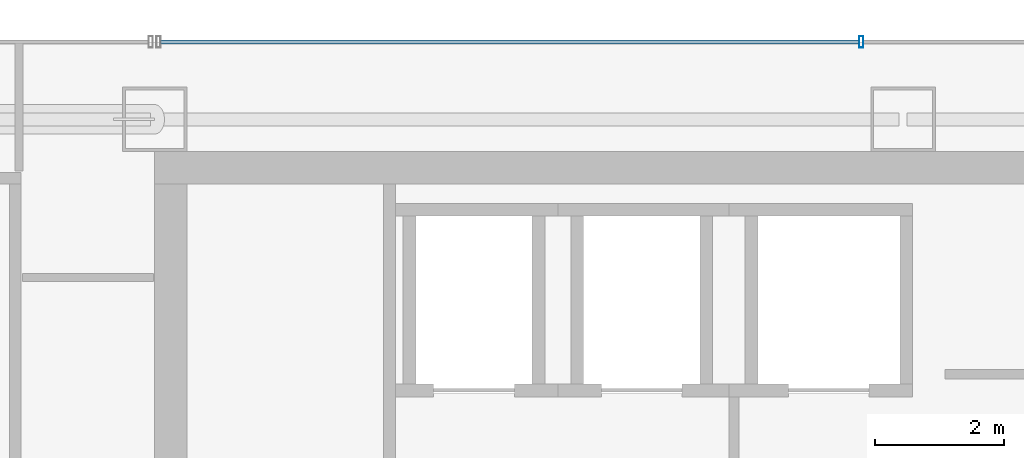
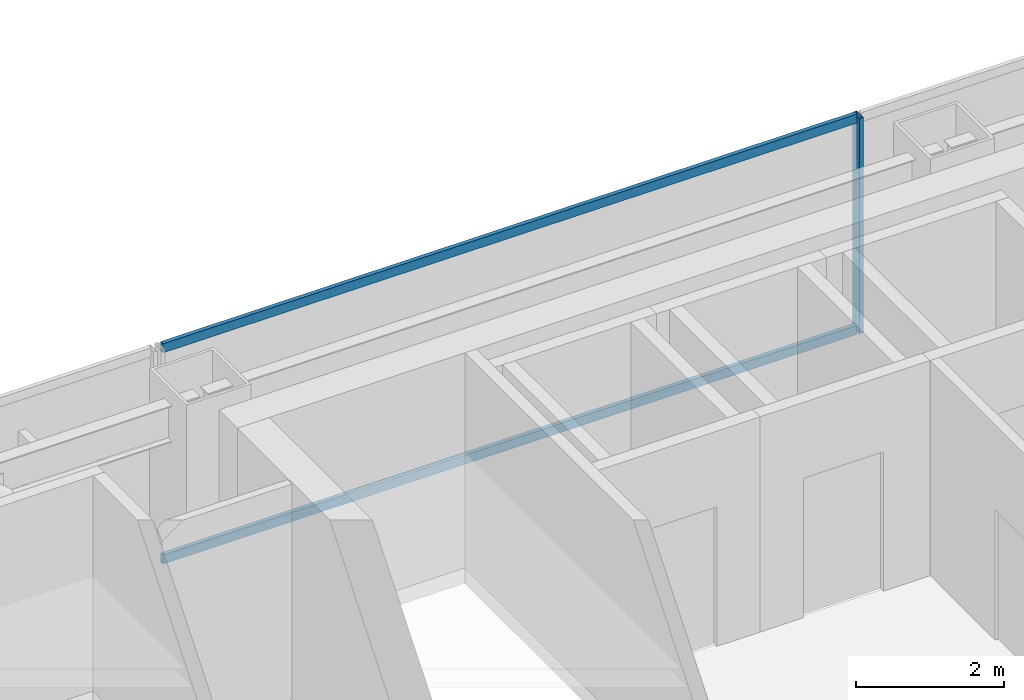
# One storey, part 24 of 38: 3 members, 1 element without a shape of its own.
"""IFC4 building model written with IfcOpenShell, lengths in metres."""

from ifc_helpers import new_model, si_unit, direction, frame, origin, origin_2d, place, context, subcontext, project, spatial, hollow_rectangle, extrude, material, material_profile, profile_set, type_object, element, aggregate, save


model = new_model("IFC4")

# Units and contexts
model_context = context("Model", 3, precision=1e-05, world=origin(), true_north=direction((0.0, 1.0)))
body_context = subcontext(model_context, "Body", "Model", "MODEL_VIEW")
ifc_project = project(units=[si_unit("LENGTHUNIT", "METRE"), si_unit("AREAUNIT", "SQUARE_METRE"), si_unit("VOLUMEUNIT", "CUBIC_METRE"), si_unit("PLANEANGLEUNIT", "RADIAN"), si_unit("MASSUNIT", "GRAM", prefix="KILO")], contexts=[model_context])

# Site, building, storey
site_placement = place(None, origin())
site = spatial("IfcSite", under=ifc_project, at=site_placement, CompositionType="ELEMENT")
building_placement = place(site_placement, origin())
building = spatial("IfcBuilding", under=site, at=building_placement, Name="Saevonmaru Cultural Tower", CompositionType="ELEMENT")
storey_placement = place(building_placement, frame((0.0, 0.0, 133.39990234375)))
storey = spatial("IfcBuildingStorey", under=building, at=storey_placement, Name="L28", CompositionType="ELEMENT", Elevation=133.39990234375)

# Curtain wall, members
ifc_material = material(Name="Satin Bronze Anodised Aluminium", Category="aluminium")
curtain_wall_type = type_object("IfcCurtainWallType", Name="CW-TYP-A", PredefinedType="NOTDEFINED", material=ifc_material)
curtain_wall_placement = place(storey_placement, origin())
curtain_wall = element("IfcCurtainWall", 1, at=curtain_wall_placement, inside=storey, type_object=curtain_wall_type, Name="L28 North Spine Unitised Curtain Wall E10B", PredefinedType="NOTDEFINED")
ifc_material_profile_1 = material_profile(ifc_material, hollow_rectangle(XDim=0.06494140625, YDim=0.179931640625, WallThickness=0.00390625, at=origin_2d()), Name="ALU-MULL-180x65x4")
ifc_profile_set_1 = profile_set([ifc_material_profile_1], Name="Satin Bronze Anodised Aluminium")
member_type_1 = type_object("IfcMemberType", Name="ML-CW-180x65", PredefinedType="MULLION", material=ifc_profile_set_1)
member_1_placement = place(storey_placement, frame((24.55322265625, 56.0, 0.0), z_axis=(0.0, 0.0, 1.0), x_axis=(-1.0, 0.0, 0.0)))
member_1 = element("IfcMember", 2, at=member_1_placement, type_object=member_type_1, Name="CW-TW-L28-E10B mullion 3", PredefinedType="MULLION", context=body_context, shape_type="SweptSolid", body=[
    extrude(hollow_rectangle(XDim=0.06494140625, YDim=0.179931640625, WallThickness=0.00390625, at=origin_2d()), origin(), (0.0, 0.0, 1.0), 3.550048828125),
])
ifc_material_profile_2 = material_profile(ifc_material, hollow_rectangle(XDim=0.06494140625, YDim=0.14990234375, WallThickness=0.00390625, at=origin_2d()), Name="ALU-TRAN-150x65x4")
ifc_profile_set_2 = profile_set([ifc_material_profile_2], Name="Satin Bronze Anodised Aluminium")
member_type_2 = type_object("IfcMemberType", Name="TR-CW-150x65", PredefinedType="USERDEFINED", material=ifc_profile_set_2)
member_2_placement = place(storey_placement, frame((24.520751953125, 56.0, 0.03271484375), z_axis=(-1.0, 0.0, 0.0), x_axis=(0.0, -1.0, 0.0)))
member_2 = element("IfcMember", 3, at=member_2_placement, type_object=member_type_2, Name="CW-TW-L28-E10B transom 3.1", ObjectType="TRANSOM", PredefinedType="USERDEFINED", context=body_context, shape_type="SweptSolid", body=[
    extrude(hollow_rectangle(XDim=0.06494140625, YDim=0.14990234375, WallThickness=0.00390625, at=origin_2d()), origin(), (0.0, 0.0, 1.0), 10.828369140625),
])
member_3_placement = place(storey_placement, frame((24.520751953125, 56.0, 3.517578125), z_axis=(-1.0, 0.0, 0.0), x_axis=(0.0, -1.0, 0.0)))
member_3 = element("IfcMember", 4, at=member_3_placement, type_object=member_type_2, Name="CW-TW-L28-E10B transom 3.2", ObjectType="TRANSOM", PredefinedType="USERDEFINED", context=body_context, shape_type="SweptSolid", body=[
    extrude(hollow_rectangle(XDim=0.06494140625, YDim=0.14990234375, WallThickness=0.00390625, at=origin_2d()), origin(), (0.0, 0.0, 1.0), 10.828369140625),
])
aggregate(curtain_wall, [member_1, member_2, member_3])

save(model, "model.ifc")
